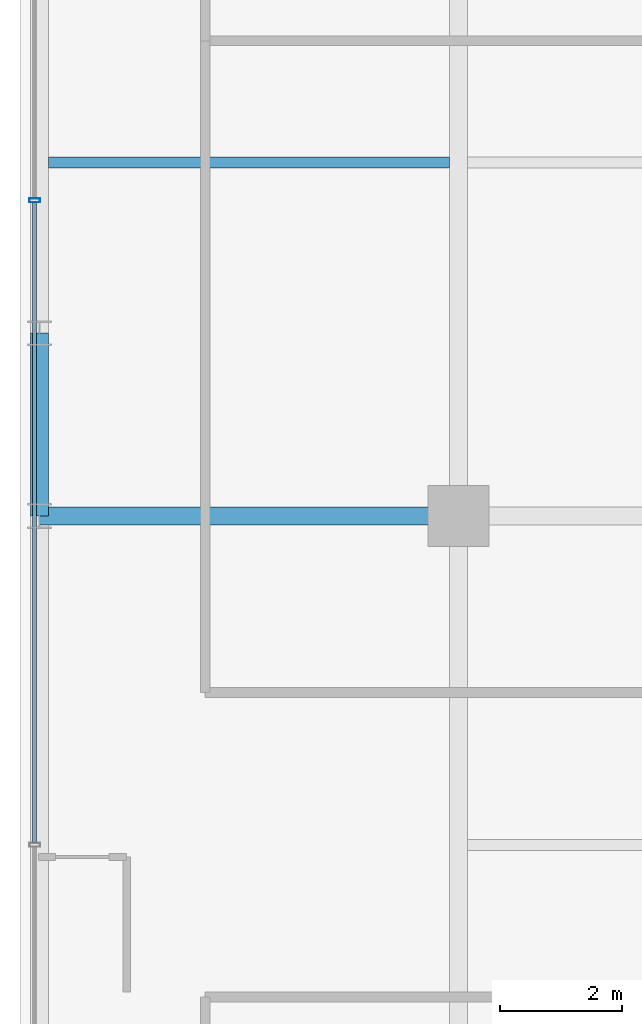
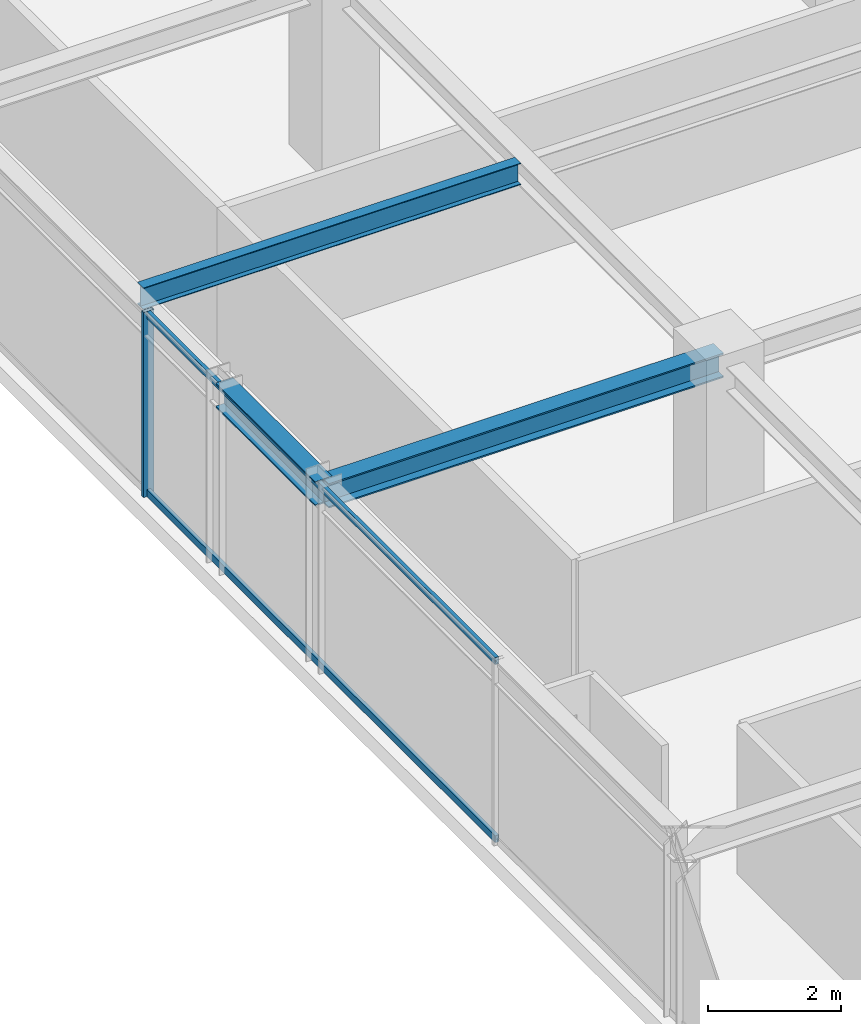
# One storey, part 18 of 36: 3 beams, 3 members, 1 element without a shape of its own.
"""IFC4 building model written with IfcOpenShell, lengths in metres."""

from ifc_helpers import new_model, si_unit, direction, frame, origin, origin_2d, place, context, subcontext, project, spatial, hollow_rectangle, i_section, extrude, source, transform, mapped, material, material_profile, profile_set, type_object, element, aggregate, save


model = new_model("IFC4")

# Units and contexts
model_context = context("Model", 3, precision=1e-05, world=origin(), true_north=direction((0.0, 1.0)))
body_context = subcontext(model_context, "Body", "Model", "MODEL_VIEW")
ifc_project = project(units=[si_unit("LENGTHUNIT", "METRE"), si_unit("AREAUNIT", "SQUARE_METRE"), si_unit("VOLUMEUNIT", "CUBIC_METRE"), si_unit("PLANEANGLEUNIT", "RADIAN"), si_unit("MASSUNIT", "GRAM", prefix="KILO")], contexts=[model_context])

# Site, building, storey
site_placement = place(None, origin())
site = spatial("IfcSite", under=ifc_project, at=site_placement, CompositionType="ELEMENT")
building_placement = place(site_placement, origin())
building = spatial("IfcBuilding", under=site, at=building_placement, Name="Nahalor Promenade Grand Hotel", CompositionType="ELEMENT")
storey_placement = place(building_placement, frame((0.0, 0.0, 253.0)))
storey = spatial("IfcBuildingStorey", under=building, at=storey_placement, Name="L65", CompositionType="ELEMENT", Elevation=253.0)

# Beams
ifc_material_1 = material(Name="Steel S355JR", Category="steel")
ifc_material_profile_1 = material_profile(ifc_material_1, i_section(OverallWidth=0.3, OverallDepth=0.45, WebThickness=0.014, FlangeThickness=0.026, at=origin_2d()), Name="HEB 450")
ifc_profile_set_1 = profile_set([ifc_material_profile_1], Name="Steel S355JR")
beam_type_1 = type_object("IfcBeamType", Name="Beam-Spandrel-HEB450", PredefinedType="SPANDREL", material=ifc_profile_set_1)
shared_shape_1 = source(origin(), body_context, "Body", "SweptSolid", [
    extrude(i_section(OverallWidth=0.3, OverallDepth=0.45, WebThickness=0.014, FlangeThickness=0.026, at=origin_2d()), origin(), (0.0, 0.0, 1.0), 3.0),
])
beam_1_placement = place(storey_placement, frame((-23.8798828125, 5.39990234375, 3.18505859375), z_axis=(0.0, 1.0, 0.0), x_axis=(-1.0, 0.0, 0.0)))
element("IfcBeam", 1, at=beam_1_placement, inside=storey, type_object=beam_type_1, Name="BM-L65-SP-W-3", PredefinedType="SPANDREL", context=body_context, shape_type="MappedRepresentation", body=[
    mapped(shared_shape_1, transform((0.0, 0.0, 0.0), scale=1.0)),
])
ifc_material_profile_2 = material_profile(ifc_material_1, i_section(OverallWidth=0.3, OverallDepth=0.45, WebThickness=0.014, FlangeThickness=0.026, at=origin_2d()), Name="HEB 450")
ifc_profile_set_2 = profile_set([ifc_material_profile_2], Name="Steel S355JR")
beam_type_2 = type_object("IfcBeamType", Name="Beam-Girder-HEB450", PredefinedType="BEAM", material=ifc_profile_set_2)
shared_shape_2 = source(origin(), body_context, "Body", "SweptSolid", [
    extrude(i_section(OverallWidth=0.3, OverallDepth=0.45, WebThickness=0.014, FlangeThickness=0.026, at=origin_2d()), origin(), (0.0, 0.0, 1.0), 6.8798828125),
])
beam_2_placement = place(storey_placement, frame((-23.8798828125, 5.39990234375, 3.18505859375), z_axis=(1.0, 0.0, 0.0), x_axis=(0.0, 1.0, 0.0)))
element("IfcBeam", 2, at=beam_2_placement, inside=storey, type_object=beam_type_2, Name="BM-L65-GX-2-0", PredefinedType="BEAM", context=body_context, shape_type="MappedRepresentation", body=[
    mapped(shared_shape_2, transform((0.0, 0.0, 0.0), scale=1.0)),
])
ifc_material_profile_3 = material_profile(ifc_material_1, i_section(OverallWidth=0.18, OverallDepth=0.4, WebThickness=0.0086, FlangeThickness=0.0135, at=origin_2d()), Name="IPE 400")
ifc_profile_set_3 = profile_set([ifc_material_profile_3], Name="Steel S355JR")
beam_type_3 = type_object("IfcBeamType", Name="Beam-Joist-IPE400", PredefinedType="JOIST", material=ifc_profile_set_3)
shared_shape_3 = source(origin(), body_context, "Body", "SweptSolid", [
    extrude(i_section(OverallWidth=0.18, OverallDepth=0.4, WebThickness=0.0086, FlangeThickness=0.0135, at=origin_2d()), origin(), (0.0, 0.0, 1.0), 6.580078125),
])
beam_3_placement = place(storey_placement, frame((-23.72998046875, 11.199951171875, 3.2099609375), z_axis=(1.0, 0.0, 0.0), x_axis=(0.0, 1.0, 0.0)))
element("IfcBeam", 3, at=beam_3_placement, inside=storey, type_object=beam_type_3, Name="BM-L65-JSW-1-0", PredefinedType="JOIST", context=body_context, shape_type="MappedRepresentation", body=[
    mapped(shared_shape_3, transform((0.0, 0.0, 0.0), scale=1.0)),
])

# Curtain wall, members
ifc_material_2 = material(Name="Anodised Bronze Aluminium EN AW-6063 T6", Category="aluminium")
curtain_wall_type = type_object("IfcCurtainWallType", Name="CW2 Typical Hotel Flush Bronze Unitised Curtain Wall", PredefinedType="USERDEFINED", material=ifc_material_2)
curtain_wall_placement = place(storey_placement, origin())
curtain_wall = element("IfcCurtainWall", 4, at=curtain_wall_placement, inside=storey, type_object=curtain_wall_type, Name="L65 Curtain Wall CW-L65-W-1", ObjectType="UNITISED_CURTAIN_WALL", PredefinedType="USERDEFINED")
ifc_material_profile_4 = material_profile(ifc_material_2, hollow_rectangle(XDim=0.065, YDim=0.13, WallThickness=0.004, at=origin_2d()), Name="CWT 65x130x4")
ifc_profile_set_4 = profile_set([ifc_material_profile_4], Name="Anodised Bronze Aluminium EN AW-6063 T6")
member_type_1 = type_object("IfcMemberType", Name="CWT2 Typical Bronze Transom 65x130", PredefinedType="USERDEFINED", material=ifc_profile_set_4)
shared_shape_4 = source(origin(), body_context, "Body", "SweptSolid", [
    extrude(hollow_rectangle(XDim=0.065, YDim=0.13, WallThickness=0.004, at=origin_2d()), origin(), (0.0, 0.0, 1.0), 10.51513671875),
])
member_1_placement = place(storey_placement, frame((-23.9599609375, 0.032470703125, 0.06494140625), z_axis=(0.0, 1.0, 0.0), x_axis=(-1.0, 0.0, 0.0)))
member_1 = element("IfcMember", 5, at=member_1_placement, type_object=member_type_1, Name="CW-L65-W-1 Transom 2-0", ObjectType="TRANSOM", PredefinedType="USERDEFINED", context=body_context, shape_type="MappedRepresentation", body=[
    mapped(shared_shape_4, transform((0.0, 0.0, 0.0), scale=1.0)),
])
member_2_placement = place(storey_placement, frame((-23.9599609375, 0.032470703125, 3.344970703125), z_axis=(0.0, 1.0, 0.0), x_axis=(-1.0, 0.0, 0.0)))
member_2 = element("IfcMember", 6, at=member_2_placement, type_object=member_type_1, Name="CW-L65-W-1 Transom 2-1", ObjectType="TRANSOM", PredefinedType="USERDEFINED", context=body_context, shape_type="MappedRepresentation", body=[
    mapped(shared_shape_4, transform((0.0, 0.0, 0.0), scale=1.0)),
])
ifc_material_profile_5 = material_profile(ifc_material_2, hollow_rectangle(XDim=0.065, YDim=0.18, WallThickness=0.004, at=origin_2d()), Name="CWM 65x180x4")
ifc_profile_set_5 = profile_set([ifc_material_profile_5], Name="Anodised Bronze Aluminium EN AW-6063 T6")
member_type_2 = type_object("IfcMemberType", Name="CWM2 Typical Bronze Mullion 65x180", PredefinedType="MULLION", material=ifc_profile_set_5)
shared_shape_5 = source(origin(), body_context, "Body", "SweptSolid", [
    extrude(hollow_rectangle(XDim=0.065, YDim=0.18, WallThickness=0.004, at=origin_2d()), origin(), (0.0, 0.0, 1.0), 3.409912109375),
])
member_3_placement = place(storey_placement, frame((-23.9599609375, 10.580078125, 0.0), z_axis=(0.0, 0.0, 1.0), x_axis=(0.0, 1.0, 0.0)))
member_3 = element("IfcMember", 7, at=member_3_placement, type_object=member_type_2, Name="CW-L65-W-1 Mullion 3", PredefinedType="MULLION", context=body_context, shape_type="MappedRepresentation", body=[
    mapped(shared_shape_5, transform((0.0, 0.0, 0.0), scale=1.0)),
])
aggregate(curtain_wall, [member_3, member_1, member_2])

save(model, "model.ifc")
